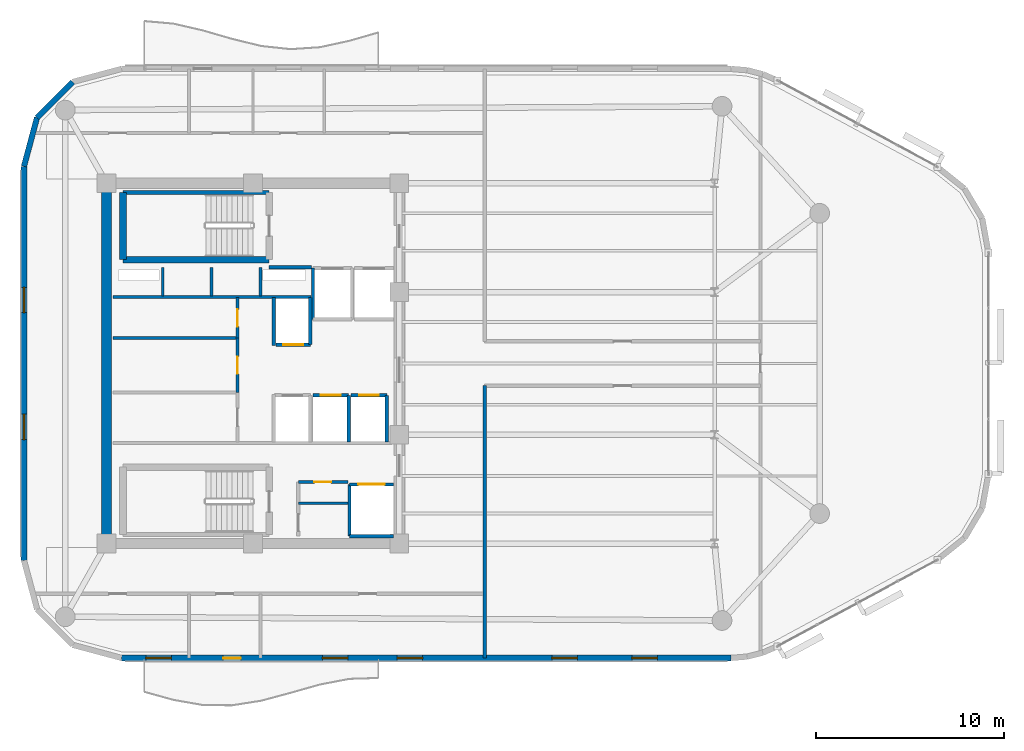
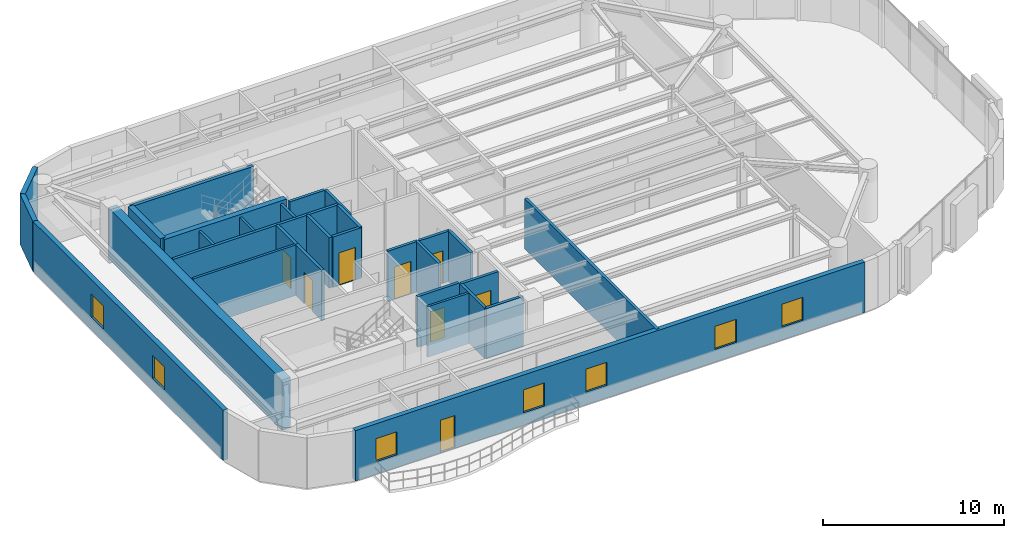
# One storey, part 9 of 13: 30 walls, 8 doors, 7 windows, 15 openings.
"""IFC4 building model written with IfcOpenShell, lengths in metres."""

from ifc_helpers import new_model, si_unit, direction, frame, frame_2d, origin, place, context, subcontext, project, spatial, rectangle, extrude, material, layer, layer_set, type_object, element, fill, save


model = new_model("IFC4")

# Units and contexts
model_context = context("Model", 3, precision=1e-05, world=origin(), true_north=direction((0.0, 1.0)))
body_context = subcontext(model_context, "Body", "Model", "MODEL_VIEW")
ifc_project = project(units=[si_unit("LENGTHUNIT", "METRE"), si_unit("AREAUNIT", "SQUARE_METRE"), si_unit("VOLUMEUNIT", "CUBIC_METRE"), si_unit("PLANEANGLEUNIT", "RADIAN"), si_unit("MASSUNIT", "GRAM", prefix="KILO")], contexts=[model_context])

# Site, building, storey
site_placement = place(None, origin())
site = spatial("IfcSite", under=ifc_project, at=site_placement, CompositionType="ELEMENT")
building_placement = place(site_placement, origin())
building = spatial("IfcBuilding", under=site, at=building_placement, Name="An Khanh Terracotta Commons", CompositionType="ELEMENT")
storey_placement = place(building_placement, frame((0.0, 0.0, 237.300048828125)))
storey = spatial("IfcBuildingStorey", under=building, at=storey_placement, Name="L62", CompositionType="ELEMENT", Elevation=237.300048828125)

# Walls
ifc_material_1 = material(Name="Concrete C50/60", Category="concrete")
ifc_layer_1 = layer(ifc_material_1, 0.550048828125, Name="Concrete C50/60")
ifc_layer_set_1 = layer_set([ifc_layer_1], Name="Concrete C50/60")
wall_type_1 = type_object("IfcWallType", Name="WALL-CORE-550", PredefinedType="SHEAR", material=ifc_layer_set_1)
wall_1_placement = place(storey_placement, frame((21.60009765625, 14.39990234375, 0.0), z_axis=(0.0, 0.0, 1.0), x_axis=(0.0, 1.0, 0.0)))
element("IfcWall", 1, at=wall_1_placement, inside=storey, type_object=wall_type_1, Name="L62 Core Wall CWALL-L62-W", PredefinedType="SHEAR", context=body_context, shape_type="SweptSolid", body=[
    extrude(rectangle(XDim=19.2001953125, YDim=0.550048828125, at=frame_2d((9.60009765625, 0.0))), origin(), (0.0, 0.0, 1.0), 3.39990234375),
])
ifc_material_2 = material(Name="Fire-Rated Gypsum Board on Steel Stud", Category="steel")
ifc_layer_2 = layer(ifc_material_2, 0.179931640625, Name="Fire-Rated Gypsum Board on Steel Stud")
ifc_layer_set_2 = layer_set([ifc_layer_2], Name="Fire-Rated Gypsum Board on Steel Stud")
wall_type_2 = type_object("IfcWallType", Name="WALL-CORR-180", PredefinedType="PARTITIONING", material=ifc_layer_set_2)
wall_2_placement = place(storey_placement, frame((30.27001953125, 29.1201171875, 0.0), z_axis=(0.0, 0.0, 1.0), x_axis=(1.0, 0.0, 0.0)))
element("IfcWall", 2, at=wall_2_placement, inside=storey, type_object=wall_type_2, Name="L62 Core Wall FFLW-L62-S", PredefinedType="PARTITIONING", context=body_context, shape_type="SweptSolid", body=[
    extrude(rectangle(XDim=2.239990234375, YDim=0.179931640625, at=frame_2d((1.1201171875, 0.0))), origin(), (0.0, 0.0, 1.0), 3.39990234375),
])
wall_3_placement = place(storey_placement, frame((21.949951171875, 27.5400390625, 0.0), z_axis=(0.0, 0.0, 1.0), x_axis=(1.0, 0.0, 0.0)))
element("IfcWall", 3, at=wall_3_placement, inside=storey, type_object=wall_type_2, Name="L62 Core Wall RSRW-L62-S", PredefinedType="PARTITIONING", context=body_context, shape_type="SweptSolid", body=[
    extrude(rectangle(XDim=10.56005859375, YDim=0.179931640625, at=frame_2d((5.280029296875, 0.0))), origin(), (0.0, 0.0, 1.0), 3.39990234375),
])

# Wall, opening, door
wall_4_placement = place(storey_placement, frame((31.820068359375, 17.679931640625, 0.0), z_axis=(0.0, 0.0, 1.0), x_axis=(1.0, 0.0, 0.0)))
wall_4 = element("IfcWall", 4, at=wall_4_placement, inside=storey, type_object=wall_type_2, Name="L62 Core Wall SSVCW-L62-N", PredefinedType="PARTITIONING", context=body_context, shape_type="SweptSolid", body=[
    extrude(rectangle(XDim=2.659912109375, YDim=0.179931640625, at=frame_2d((1.330078125, 0.0))), origin(), (0.0, 0.0, 1.0), 3.39990234375),
])
opening_1_placement = place(wall_4_placement, frame((0.85009765625, 0.0, 0.0)))
opening_1 = element("IfcOpeningElement", 5, at=opening_1_placement, cuts=wall_4, Name="Opening D-SV", PredefinedType="OPENING", context=body_context, shape_type="SweptSolid", body=[
    extrude(rectangle(XDim=0.89990234375, YDim=2.050048828125, at=frame_2d((0.449951171875, 1.02490234375))), frame((0.0, 0.099853515625, 0.0), z_axis=(0.0, -1.0, 0.0), x_axis=(1.0, 0.0, 0.0)), (0.0, 0.0, 1.0), 0.199951171875),
])
ifc_material_3 = material(Name="Fire-Rated Powder-Coated Steel Door", Category="steel")
door_type_1 = type_object("IfcDoorType", Name="DOOR-SERV-900", OperationType="NOTDEFINED", PredefinedType="DOOR", material=ifc_material_3)
door_1_placement = place(opening_1_placement, origin())
door_1 = element("IfcDoor", 6, at=door_1_placement, inside=storey, type_object=door_type_1, Name="L62 Core Cleaner Store Door", OperationType="SINGLE_SWING_RIGHT", OverallHeight=2.050048828125, OverallWidth=0.89990234375, PredefinedType="DOOR", context=body_context, shape_type="SweptSolid", body=[
    extrude(rectangle(XDim=0.89990234375, YDim=2.050048828125, at=frame_2d((0.449951171875, 1.02490234375))), frame((0.0, 0.02490234375, 0.0), z_axis=(0.0, -1.0, 0.0), x_axis=(1.0, 0.0, 0.0)), (0.0, 0.0, 1.0), 0.050048828125),
])
fill(opening_1, door_1)

# Wall
wall_5_placement = place(storey_placement, frame((32.60009765625, 29.080078125, 0.0), z_axis=(0.0, 0.0, 1.0), x_axis=(0.0, -1.0, 0.0)))
element("IfcWall", 7, at=wall_5_placement, inside=storey, type_object=wall_type_2, Name="L62 Core Wall LSH-L62-FFL-01-W", PredefinedType="PARTITIONING", context=body_context, shape_type="SweptSolid", body=[
    extrude(rectangle(XDim=2.72998046875, YDim=0.179931640625, at=frame_2d((1.364990234375, 0.0))), origin(), (0.0, 0.0, 1.0), 3.39990234375),
])

# Wall, opening, door
wall_6_placement = place(storey_placement, frame((34.550048828125, 17.550048828125, 0.0), z_axis=(0.0, 0.0, 1.0), x_axis=(1.0, 0.0, 0.0)))
wall_6 = element("IfcWall", 8, at=wall_6_placement, inside=storey, type_object=wall_type_2, Name="L62 Core Wall LSH-L62-SVL-01-N", PredefinedType="PARTITIONING", context=body_context, shape_type="SweptSolid", body=[
    extrude(rectangle(XDim=2.349853515625, YDim=0.179931640625, at=frame_2d((1.1748046875, 0.0))), origin(), (0.0, 0.0, 1.0), 3.39990234375),
])
opening_2_placement = place(wall_6_placement, frame((0.47509765625, 0.0, 0.0)))
opening_2 = element("IfcOpeningElement", 9, at=opening_2_placement, cuts=wall_6, Name="Opening LD-SVL-01-L62", PredefinedType="OPENING", context=body_context, shape_type="SweptSolid", body=[
    extrude(rectangle(XDim=1.39990234375, YDim=2.300048828125, at=frame_2d((0.699951171875, 1.14990234375))), frame((0.0, 0.099853515625, 0.0), z_axis=(0.0, -1.0, 0.0), x_axis=(1.0, 0.0, 0.0)), (0.0, 0.0, 1.0), 0.199951171875),
])
ifc_material_4 = material(Name="Heavy-Duty Stainless Steel Goods Landing Door", Category="steel")
door_type_2 = type_object("IfcDoorType", Name="DOOR-LD-SVL-1400", OperationType="NOTDEFINED", PredefinedType="DOOR", material=ifc_material_4)
door_2_placement = place(opening_2_placement, origin())
door_2 = element("IfcDoor", 10, at=door_2_placement, inside=storey, type_object=door_type_2, Name="L62 Lift SVL-01 Sliding Landing Door", OperationType="DOUBLE_DOOR_SLIDING", OverallHeight=2.300048828125, OverallWidth=1.39990234375, PredefinedType="DOOR", context=body_context, shape_type="SweptSolid", body=[
    extrude(rectangle(XDim=1.39990234375, YDim=2.300048828125, at=frame_2d((0.699951171875, 1.14990234375))), frame((0.0, 0.02490234375, 0.0), z_axis=(0.0, -1.0, 0.0), x_axis=(1.0, 0.0, 0.0)), (0.0, 0.0, 1.0), 0.050048828125),
])
fill(opening_2, door_2)

# Walls
wall_7_placement = place(storey_placement, frame((36.89990234375, 14.800048828125, 0.0), z_axis=(0.0, 0.0, 1.0), x_axis=(-1.0, 0.0, 0.0)))
element("IfcWall", 11, at=wall_7_placement, inside=storey, type_object=wall_type_2, Name="L62 Core Wall LSH-L62-SVL-01-S", PredefinedType="PARTITIONING", context=body_context, shape_type="SweptSolid", body=[
    extrude(rectangle(XDim=2.349853515625, YDim=0.179931640625, at=frame_2d((1.1748046875, 0.0))), origin(), (0.0, 0.0, 1.0), 3.39990234375),
])
wall_8_placement = place(storey_placement, frame((34.550048828125, 17.550048828125, 0.0), z_axis=(0.0, 0.0, 1.0), x_axis=(0.0, -1.0, 0.0)))
element("IfcWall", 12, at=wall_8_placement, inside=storey, type_object=wall_type_2, Name="L62 Core Wall LSH-L62-SVL-01-W", PredefinedType="PARTITIONING", context=body_context, shape_type="SweptSolid", body=[
    extrude(rectangle(XDim=2.75, YDim=0.179931640625, at=frame_2d((1.375, 0.0))), origin(), (0.0, 0.0, 1.0), 3.39990234375),
])

# Wall, opening, door
wall_9_placement = place(storey_placement, frame((32.4599609375, 25.0, 0.0), z_axis=(0.0, 0.0, 1.0), x_axis=(-1.0, 0.0, 0.0)))
wall_9 = element("IfcWall", 13, at=wall_9_placement, inside=storey, type_object=wall_type_2, Name="L62 Core Wall LSH-L62-PL-H1-S", PredefinedType="PARTITIONING", context=body_context, shape_type="SweptSolid", body=[
    extrude(rectangle(XDim=1.820068359375, YDim=0.179931640625, at=frame_2d((0.91015625, 0.0))), origin(), (0.0, 0.0, 1.0), 3.39990234375),
])
opening_3_placement = place(wall_9_placement, frame((0.385009765625, 0.0, 0.0)))
opening_3 = element("IfcOpeningElement", 14, at=opening_3_placement, cuts=wall_9, Name="Opening LD-PL-H1-L62", PredefinedType="OPENING", context=body_context, shape_type="SweptSolid", body=[
    extrude(rectangle(XDim=1.050048828125, YDim=2.199951171875, at=frame_2d((0.52490234375, 1.10009765625))), frame((0.0, 0.099853515625, 0.0), z_axis=(0.0, -1.0, 0.0), x_axis=(1.0, 0.0, 0.0)), (0.0, 0.0, 1.0), 0.199951171875),
])
ifc_material_5 = material(Name="Brushed Stainless Steel High-Rise Landing Door", Category="steel")
door_type_3 = type_object("IfcDoorType", Name="DOOR-LD-PAXH-1050", OperationType="NOTDEFINED", PredefinedType="DOOR", material=ifc_material_5)
door_3_placement = place(opening_3_placement, origin())
door_3 = element("IfcDoor", 15, at=door_3_placement, inside=storey, type_object=door_type_3, Name="L62 Lift PL-H1 Sliding Landing Door", OperationType="DOUBLE_DOOR_SLIDING", OverallHeight=2.199951171875, OverallWidth=1.050048828125, PredefinedType="DOOR", context=body_context, shape_type="SweptSolid", body=[
    extrude(rectangle(XDim=1.050048828125, YDim=2.199951171875, at=frame_2d((0.52490234375, 1.10009765625))), frame((0.0, 0.02490234375, 0.0), z_axis=(0.0, -1.0, 0.0), x_axis=(1.0, 0.0, 0.0)), (0.0, 0.0, 1.0), 0.050048828125),
])
fill(opening_3, door_3)

# Wall
wall_10_placement = place(storey_placement, frame((32.4599609375, 25.0, 0.0), z_axis=(0.0, 0.0, 1.0), x_axis=(0.0, 1.0, 0.0)))
element("IfcWall", 16, at=wall_10_placement, inside=storey, type_object=wall_type_2, Name="L62 Core Wall LSH-L62-PL-H1-E", PredefinedType="PARTITIONING", context=body_context, shape_type="SweptSolid", body=[
    extrude(rectangle(XDim=2.5, YDim=0.179931640625, at=frame_2d((1.25, 0.0))), origin(), (0.0, 0.0, 1.0), 3.39990234375),
])

# Wall, opening, door
wall_11_placement = place(storey_placement, frame((32.60009765625, 22.300048828125, 0.0), z_axis=(0.0, 0.0, 1.0), x_axis=(1.0, 0.0, 0.0)))
wall_11 = element("IfcWall", 17, at=wall_11_placement, inside=storey, type_object=wall_type_2, Name="L62 Core Wall LSH-L62-PL-H3-N", PredefinedType="PARTITIONING", context=body_context, shape_type="SweptSolid", body=[
    extrude(rectangle(XDim=1.89990234375, YDim=0.179931640625, at=frame_2d((0.949951171875, 0.0))), origin(), (0.0, 0.0, 1.0), 3.39990234375),
])
opening_4_placement = place(wall_11_placement, frame((0.425048828125, 0.0, 0.0)))
opening_4 = element("IfcOpeningElement", 18, at=opening_4_placement, cuts=wall_11, Name="Opening LD-PL-H3-L62", PredefinedType="OPENING", context=body_context, shape_type="SweptSolid", body=[
    extrude(rectangle(XDim=1.050048828125, YDim=2.199951171875, at=frame_2d((0.52490234375, 1.10009765625))), frame((0.0, 0.099853515625, 0.0), z_axis=(0.0, -1.0, 0.0), x_axis=(1.0, 0.0, 0.0)), (0.0, 0.0, 1.0), 0.199951171875),
])
door_4_placement = place(opening_4_placement, origin())
door_4 = element("IfcDoor", 19, at=door_4_placement, inside=storey, type_object=door_type_3, Name="L62 Lift PL-H3 Sliding Landing Door", OperationType="DOUBLE_DOOR_SLIDING", OverallHeight=2.199951171875, OverallWidth=1.050048828125, PredefinedType="DOOR", context=body_context, shape_type="SweptSolid", body=[
    extrude(rectangle(XDim=1.050048828125, YDim=2.199951171875, at=frame_2d((0.52490234375, 1.10009765625))), frame((0.0, 0.02490234375, 0.0), z_axis=(0.0, -1.0, 0.0), x_axis=(1.0, 0.0, 0.0)), (0.0, 0.0, 1.0), 0.050048828125),
])
fill(opening_4, door_4)

# Wall
wall_12_placement = place(storey_placement, frame((34.5, 19.800048828125, 0.0), z_axis=(0.0, 0.0, 1.0), x_axis=(0.0, 1.0, 0.0)))
element("IfcWall", 20, at=wall_12_placement, inside=storey, type_object=wall_type_2, Name="L62 Core Wall LSH-L62-PL-H3-E", PredefinedType="PARTITIONING", context=body_context, shape_type="SweptSolid", body=[
    extrude(rectangle(XDim=2.5, YDim=0.179931640625, at=frame_2d((1.25, 0.0))), origin(), (0.0, 0.0, 1.0), 3.39990234375),
])

# Wall, opening, door
wall_13_placement = place(storey_placement, frame((34.639892578125, 22.300048828125, 0.0), z_axis=(0.0, 0.0, 1.0), x_axis=(1.0, 0.0, 0.0)))
wall_13 = element("IfcWall", 21, at=wall_13_placement, inside=storey, type_object=wall_type_2, Name="L62 Core Wall LSH-L62-PL-H4-N", PredefinedType="PARTITIONING", context=body_context, shape_type="SweptSolid", body=[
    extrude(rectangle(XDim=1.900146484375, YDim=0.179931640625, at=frame_2d((0.9501953125, 0.0))), origin(), (0.0, 0.0, 1.0), 3.39990234375),
])
opening_5_placement = place(wall_13_placement, frame((0.425048828125, 0.0, 0.0)))
opening_5 = element("IfcOpeningElement", 22, at=opening_5_placement, cuts=wall_13, Name="Opening LD-PL-H4-L62", PredefinedType="OPENING", context=body_context, shape_type="SweptSolid", body=[
    extrude(rectangle(XDim=1.050048828125, YDim=2.199951171875, at=frame_2d((0.52490234375, 1.10009765625))), frame((0.0, 0.099853515625, 0.0), z_axis=(0.0, -1.0, 0.0), x_axis=(1.0, 0.0, 0.0)), (0.0, 0.0, 1.0), 0.199951171875),
])
door_5_placement = place(opening_5_placement, origin())
door_5 = element("IfcDoor", 23, at=door_5_placement, inside=storey, type_object=door_type_3, Name="L62 Lift PL-H4 Sliding Landing Door", OperationType="DOUBLE_DOOR_SLIDING", OverallHeight=2.199951171875, OverallWidth=1.050048828125, PredefinedType="DOOR", context=body_context, shape_type="SweptSolid", body=[
    extrude(rectangle(XDim=1.050048828125, YDim=2.199951171875, at=frame_2d((0.52490234375, 1.10009765625))), frame((0.0, 0.02490234375, 0.0), z_axis=(0.0, -1.0, 0.0), x_axis=(1.0, 0.0, 0.0)), (0.0, 0.0, 1.0), 0.050048828125),
])
fill(opening_5, door_5)

# Walls
wall_14_placement = place(storey_placement, frame((36.5400390625, 19.800048828125, 0.0), z_axis=(0.0, 0.0, 1.0), x_axis=(0.0, 1.0, 0.0)))
element("IfcWall", 24, at=wall_14_placement, inside=storey, type_object=wall_type_2, Name="L62 Core Wall LSH-L62-PL-H4-E", PredefinedType="PARTITIONING", context=body_context, shape_type="SweptSolid", body=[
    extrude(rectangle(XDim=2.5, YDim=0.179931640625, at=frame_2d((1.25, 0.0))), origin(), (0.0, 0.0, 1.0), 3.39990234375),
])
wall_15_placement = place(storey_placement, frame((30.52001953125, 24.949951171875, 0.0), z_axis=(0.0, 0.0, 1.0), x_axis=(0.0, 1.0, 0.0)))
element("IfcWall", 25, at=wall_15_placement, inside=storey, type_object=wall_type_2, Name="L62 Core Wall RECW-L62-BE1", PredefinedType="PARTITIONING", context=body_context, shape_type="SweptSolid", body=[
    extrude(rectangle(XDim=2.550048828125, YDim=0.179931640625, at=frame_2d((1.27490234375, 0.0))), origin(), (0.0, 0.0, 1.0), 3.39990234375),
])

# Wall, opening, door
wall_16_placement = place(storey_placement, frame((28.580078125, 25.35009765625, 0.0), z_axis=(0.0, 0.0, 1.0), x_axis=(0.0, 1.0, 0.0)))
wall_16 = element("IfcWall", 26, at=wall_16_placement, inside=storey, type_object=wall_type_2, Name="L62 Core Wall RECW-L62-E1", PredefinedType="PARTITIONING", context=body_context, shape_type="SweptSolid", body=[
    extrude(rectangle(XDim=2.14990234375, YDim=0.179931640625, at=frame_2d((1.074951171875, 0.0))), origin(), (0.0, 0.0, 1.0), 3.39990234375),
])
opening_6_placement = place(wall_16_placement, frame((0.614990234375, 0.0, 0.0)))
opening_6 = element("IfcOpeningElement", 27, at=opening_6_placement, cuts=wall_16, Name="Opening D-RM", PredefinedType="OPENING", context=body_context, shape_type="SweptSolid", body=[
    extrude(rectangle(XDim=0.919921875, YDim=2.10009765625, at=frame_2d((0.4599609375, 1.050048828125))), frame((0.0, 0.099853515625, 0.0), z_axis=(0.0, -1.0, 0.0), x_axis=(1.0, 0.0, 0.0)), (0.0, 0.0, 1.0), 0.199951171875),
])
ifc_material_6 = material(Name="Engineered Hardwood Timber Leaf", Category="wood")
door_type_4 = type_object("IfcDoorType", Name="DOOR-INT-920", OperationType="NOTDEFINED", PredefinedType="DOOR", material=ifc_material_6)
door_6_placement = place(opening_6_placement, origin())
door_6 = element("IfcDoor", 28, at=door_6_placement, inside=storey, type_object=door_type_4, Name="L62 Quiet Focus Pod Door", OperationType="SINGLE_SWING_RIGHT", OverallHeight=2.10009765625, OverallWidth=0.919921875, PredefinedType="DOOR", context=body_context, shape_type="SweptSolid", body=[
    extrude(rectangle(XDim=0.919921875, YDim=2.10009765625, at=frame_2d((0.4599609375, 1.050048828125))), frame((0.0, 0.02490234375, 0.0), z_axis=(0.0, -1.0, 0.0), x_axis=(1.0, 0.0, 0.0)), (0.0, 0.0, 1.0), 0.050048828125),
])
fill(opening_6, door_6)

wall_17_placement = place(storey_placement, frame((28.580078125, 22.449951171875, 0.0), z_axis=(0.0, 0.0, 1.0), x_axis=(0.0, 1.0, 0.0)))
wall_17 = element("IfcWall", 29, at=wall_17_placement, inside=storey, type_object=wall_type_2, Name="L62 Core Wall RECW-L62-E2", PredefinedType="PARTITIONING", context=body_context, shape_type="SweptSolid", body=[
    extrude(rectangle(XDim=2.900146484375, YDim=0.179931640625, at=frame_2d((1.4501953125, 0.0))), origin(), (0.0, 0.0, 1.0), 3.39990234375),
])
opening_7_placement = place(wall_17_placement, frame((0.989990234375, 0.0, 0.0)))
opening_7 = element("IfcOpeningElement", 30, at=opening_7_placement, cuts=wall_17, Name="Opening D-RM", PredefinedType="OPENING", context=body_context, shape_type="SweptSolid", body=[
    extrude(rectangle(XDim=0.919921875, YDim=2.10009765625, at=frame_2d((0.4599609375, 1.050048828125))), frame((0.0, 0.099853515625, 0.0), z_axis=(0.0, -1.0, 0.0), x_axis=(1.0, 0.0, 0.0)), (0.0, 0.0, 1.0), 0.199951171875),
])
door_7_placement = place(opening_7_placement, origin())
door_7 = element("IfcDoor", 31, at=door_7_placement, inside=storey, type_object=door_type_4, Name="L62 Floor Pantry and Tea Room Door", OperationType="SINGLE_SWING_LEFT", OverallHeight=2.10009765625, OverallWidth=0.919921875, PredefinedType="DOOR", context=body_context, shape_type="SweptSolid", body=[
    extrude(rectangle(XDim=0.919921875, YDim=2.10009765625, at=frame_2d((0.4599609375, 1.050048828125))), frame((0.0, 0.02490234375, 0.0), z_axis=(0.0, -1.0, 0.0), x_axis=(1.0, 0.0, 0.0)), (0.0, 0.0, 1.0), 0.050048828125),
])
fill(opening_7, door_7)

# Wall
wall_18_placement = place(storey_placement, frame((41.75, 8.300048828125, 0.0), z_axis=(0.0, 0.0, 1.0), x_axis=(0.0, 1.0, 0.0)))
element("IfcWall", 32, at=wall_18_placement, inside=storey, type_object=wall_type_2, Name="L62 Interior Partition IW-L62-E010", PredefinedType="PARTITIONING", context=body_context, shape_type="SweptSolid", body=[
    extrude(rectangle(XDim=14.52001953125, YDim=0.179931640625, at=frame_2d((7.260009765625, 0.0))), origin(), (0.0, 0.0, 1.0), 3.39990234375),
])

# Wall, openings, door, windows
ifc_material_7 = material(Name="Precast concrete C40/50", Category="concrete")
ifc_layer_3 = layer(ifc_material_7, 0.300048828125, Name="Precast concrete C40/50")
ifc_layer_set_3 = layer_set([ifc_layer_3], Name="Precast concrete C40/50")
wall_type_3 = type_object("IfcWallType", Name="WALL-EXT-300", PredefinedType="SOLIDWALL", material=ifc_layer_set_3)
wall_19_placement = place(storey_placement, frame((22.39990234375, 8.300048828125, 0.0), z_axis=(0.0, 0.0, 1.0), x_axis=(1.0, 0.0, 0.0)))
wall_19 = element("IfcWall", 33, at=wall_19_placement, inside=storey, type_object=wall_type_3, Name="L62 Insulated Terracotta Exterior Wall 4", PredefinedType="SOLIDWALL", context=body_context, shape_type="SweptSolid", body=[
    extrude(rectangle(XDim=32.485107421875, YDim=0.300048828125, at=frame_2d((16.24267578125, 0.0))), origin(), (0.0, 0.0, 1.0), 3.39990234375),
])
opening_8_placement = place(wall_19_placement, frame((5.4130859375, 0.0, 0.0)))
opening_8 = element("IfcOpeningElement", 34, at=opening_8_placement, cuts=wall_19, Name="Opening D-BAL", PredefinedType="OPENING", context=body_context, shape_type="SweptSolid", body=[
    extrude(rectangle(XDim=0.949951171875, YDim=2.199951171875, at=frame_2d((0.47509765625, 1.10009765625))), frame((0.0, 0.159912109375, 0.0), z_axis=(0.0, -1.0, 0.0), x_axis=(1.0, 0.0, 0.0)), (0.0, 0.0, 1.0), 0.320068359375),
])
opening_9_placement = place(wall_19_placement, frame((1.300048828125, 0.0, 0.85009765625)))
opening_9 = element("IfcOpeningElement", 35, at=opening_9_placement, cuts=wall_19, Name="Opening W-04", PredefinedType="OPENING", context=body_context, shape_type="SweptSolid", body=[
    extrude(rectangle(XDim=1.35009765625, YDim=1.550048828125, at=frame_2d((0.675048828125, 0.77490234375))), frame((0.0, 0.159912109375, 0.0), z_axis=(0.0, -1.0, 0.0), x_axis=(1.0, 0.0, 0.0)), (0.0, 0.0, 1.0), 0.320068359375),
])
opening_10_placement = place(wall_19_placement, frame((10.7080078125, 0.0, 0.85009765625)))
opening_10 = element("IfcOpeningElement", 36, at=opening_10_placement, cuts=wall_19, Name="Opening W-04", PredefinedType="OPENING", context=body_context, shape_type="SweptSolid", body=[
    extrude(rectangle(XDim=1.35009765625, YDim=1.550048828125, at=frame_2d((0.675048828125, 0.77490234375))), frame((0.0, 0.159912109375, 0.0), z_axis=(0.0, -1.0, 0.0), x_axis=(1.0, 0.0, 0.0)), (0.0, 0.0, 1.0), 0.320068359375),
])
opening_11_placement = place(wall_19_placement, frame((14.69189453125, 0.0, 0.85009765625)))
opening_11 = element("IfcOpeningElement", 37, at=opening_11_placement, cuts=wall_19, Name="Opening W-04", PredefinedType="OPENING", context=body_context, shape_type="SweptSolid", body=[
    extrude(rectangle(XDim=1.35009765625, YDim=1.550048828125, at=frame_2d((0.675048828125, 0.77490234375))), frame((0.0, 0.159912109375, 0.0), z_axis=(0.0, -1.0, 0.0), x_axis=(1.0, 0.0, 0.0)), (0.0, 0.0, 1.0), 0.320068359375),
])
opening_12_placement = place(wall_19_placement, frame((22.93701171875, 0.0, 0.85009765625)))
opening_12 = element("IfcOpeningElement", 38, at=opening_12_placement, cuts=wall_19, Name="Opening W-04", PredefinedType="OPENING", context=body_context, shape_type="SweptSolid", body=[
    extrude(rectangle(XDim=1.35009765625, YDim=1.550048828125, at=frame_2d((0.675048828125, 0.77490234375))), frame((0.0, 0.159912109375, 0.0), z_axis=(0.0, -1.0, 0.0), x_axis=(1.0, 0.0, 0.0)), (0.0, 0.0, 1.0), 0.320068359375),
])
opening_13_placement = place(wall_19_placement, frame((27.197998046875, 0.0, 0.85009765625)))
opening_13 = element("IfcOpeningElement", 39, at=opening_13_placement, cuts=wall_19, Name="Opening W-04", PredefinedType="OPENING", context=body_context, shape_type="SweptSolid", body=[
    extrude(rectangle(XDim=1.35009765625, YDim=1.550048828125, at=frame_2d((0.675048828125, 0.77490234375))), frame((0.0, 0.159912109375, 0.0), z_axis=(0.0, -1.0, 0.0), x_axis=(1.0, 0.0, 0.0)), (0.0, 0.0, 1.0), 0.320068359375),
])
ifc_material_8 = material(Name="Thermally Broken Aluminium and Low-E Glass", Category="aluminium")
door_type_5 = type_object("IfcDoorType", Name="DOOR-BALC-950", OperationType="NOTDEFINED", PredefinedType="DOOR", material=ifc_material_8)
door_8_placement = place(opening_8_placement, origin())
door_8 = element("IfcDoor", 40, at=door_8_placement, inside=storey, type_object=door_type_5, Name="L62 S Wave Balcony Glazed Door", OperationType="SINGLE_SWING_LEFT", OverallHeight=2.199951171875, OverallWidth=0.949951171875, PredefinedType="DOOR", context=body_context, shape_type="SweptSolid", body=[
    extrude(rectangle(XDim=0.949951171875, YDim=2.199951171875, at=frame_2d((0.47509765625, 1.10009765625))), frame((0.0, 0.02490234375, 0.0), z_axis=(0.0, -1.0, 0.0), x_axis=(1.0, 0.0, 0.0)), (0.0, 0.0, 1.0), 0.050048828125),
])
fill(opening_8, door_8)
window_type = type_object("IfcWindowType", Name="WIN-Z4-1350x1550", PartitioningType="SINGLE_PANEL", PredefinedType="WINDOW", material=ifc_material_8)
window_1_placement = place(opening_9_placement, origin())
window_1 = element("IfcWindow", 41, at=window_1_placement, inside=storey, type_object=window_type, Name="L62 Operable Casement Window 4.1", OverallHeight=1.550048828125, OverallWidth=1.35009765625, PartitioningType="SINGLE_PANEL", PredefinedType="WINDOW", context=body_context, shape_type="SweptSolid", body=[
    extrude(rectangle(XDim=1.35009765625, YDim=1.550048828125, at=frame_2d((0.675048828125, 0.77490234375))), frame((0.0, 0.030029296875, 0.0), z_axis=(0.0, -1.0, 0.0), x_axis=(1.0, 0.0, 0.0)), (0.0, 0.0, 1.0), 0.06005859375),
])
fill(opening_9, window_1)
window_2_placement = place(opening_10_placement, origin())
window_2 = element("IfcWindow", 42, at=window_2_placement, inside=storey, type_object=window_type, Name="L62 Operable Casement Window 4.2", OverallHeight=1.550048828125, OverallWidth=1.35009765625, PartitioningType="SINGLE_PANEL", PredefinedType="WINDOW", context=body_context, shape_type="SweptSolid", body=[
    extrude(rectangle(XDim=1.35009765625, YDim=1.550048828125, at=frame_2d((0.675048828125, 0.77490234375))), frame((0.0, 0.030029296875, 0.0), z_axis=(0.0, -1.0, 0.0), x_axis=(1.0, 0.0, 0.0)), (0.0, 0.0, 1.0), 0.06005859375),
])
fill(opening_10, window_2)
window_3_placement = place(opening_11_placement, origin())
window_3 = element("IfcWindow", 43, at=window_3_placement, inside=storey, type_object=window_type, Name="L62 Operable Casement Window 4.3", OverallHeight=1.550048828125, OverallWidth=1.35009765625, PartitioningType="SINGLE_PANEL", PredefinedType="WINDOW", context=body_context, shape_type="SweptSolid", body=[
    extrude(rectangle(XDim=1.35009765625, YDim=1.550048828125, at=frame_2d((0.675048828125, 0.77490234375))), frame((0.0, 0.030029296875, 0.0), z_axis=(0.0, -1.0, 0.0), x_axis=(1.0, 0.0, 0.0)), (0.0, 0.0, 1.0), 0.06005859375),
])
fill(opening_11, window_3)
window_4_placement = place(opening_12_placement, origin())
window_4 = element("IfcWindow", 44, at=window_4_placement, inside=storey, type_object=window_type, Name="L62 Operable Casement Window 4.4", OverallHeight=1.550048828125, OverallWidth=1.35009765625, PartitioningType="SINGLE_PANEL", PredefinedType="WINDOW", context=body_context, shape_type="SweptSolid", body=[
    extrude(rectangle(XDim=1.35009765625, YDim=1.550048828125, at=frame_2d((0.675048828125, 0.77490234375))), frame((0.0, 0.030029296875, 0.0), z_axis=(0.0, -1.0, 0.0), x_axis=(1.0, 0.0, 0.0)), (0.0, 0.0, 1.0), 0.06005859375),
])
fill(opening_12, window_4)
window_5_placement = place(opening_13_placement, origin())
window_5 = element("IfcWindow", 45, at=window_5_placement, inside=storey, type_object=window_type, Name="L62 Operable Casement Window 4.5", OverallHeight=1.550048828125, OverallWidth=1.35009765625, PartitioningType="SINGLE_PANEL", PredefinedType="WINDOW", context=body_context, shape_type="SweptSolid", body=[
    extrude(rectangle(XDim=1.35009765625, YDim=1.550048828125, at=frame_2d((0.675048828125, 0.77490234375))), frame((0.0, 0.030029296875, 0.0), z_axis=(0.0, -1.0, 0.0), x_axis=(1.0, 0.0, 0.0)), (0.0, 0.0, 1.0), 0.06005859375),
])
fill(opening_13, window_5)

# Walls
wall_20_placement = place(storey_placement, frame((19.800048828125, 39.0029296875, 0.0), z_axis=(0.0, 0.0, 1.0), x_axis=(-0.707152139074, -0.70706142039, 0.0)))
element("IfcWall", 46, at=wall_20_placement, inside=storey, type_object=wall_type_3, Name="L62 Insulated Terracotta Exterior Wall 22", PredefinedType="SOLIDWALL", context=body_context, shape_type="SweptSolid", body=[
    extrude(rectangle(XDim=2.691162109375, YDim=0.300048828125, at=frame_2d((1.345703125, 0.0))), origin(), (0.0, 0.0, 1.0), 3.39990234375),
])
wall_21_placement = place(storey_placement, frame((17.89697265625, 37.10009765625, 0.0), z_axis=(0.0, 0.0, 1.0), x_axis=(-0.258932525951, -0.965895412042, 0.0)))
element("IfcWall", 47, at=wall_21_placement, inside=storey, type_object=wall_type_3, Name="L62 Insulated Terracotta Exterior Wall 23", PredefinedType="SOLIDWALL", context=body_context, shape_type="SweptSolid", body=[
    extrude(rectangle(XDim=2.69189453125, YDim=0.300048828125, at=frame_2d((1.345947265625, 0.0))), origin(), (0.0, 0.0, 1.0), 3.39990234375),
])

# Wall, openings, windows
wall_22_placement = place(storey_placement, frame((17.199951171875, 34.5, 0.0), z_axis=(0.0, 0.0, 1.0), x_axis=(0.0, -1.0, 0.0)))
wall_22 = element("IfcWall", 48, at=wall_22_placement, inside=storey, type_object=wall_type_3, Name="L62 Insulated Terracotta Exterior Wall 24", PredefinedType="SOLIDWALL", context=body_context, shape_type="SweptSolid", body=[
    extrude(rectangle(XDim=21.0, YDim=0.300048828125, at=frame_2d((10.5, 0.0))), origin(), (0.0, 0.0, 1.0), 3.39990234375),
])
opening_14_placement = place(wall_22_placement, frame((6.44189453125, 0.0, 0.85009765625)))
opening_14 = element("IfcOpeningElement", 49, at=opening_14_placement, cuts=wall_22, Name="Opening W-04", PredefinedType="OPENING", context=body_context, shape_type="SweptSolid", body=[
    extrude(rectangle(XDim=1.35009765625, YDim=1.550048828125, at=frame_2d((0.675048828125, 0.77490234375))), frame((0.0, 0.159912109375, 0.0), z_axis=(0.0, -1.0, 0.0), x_axis=(1.0, 0.0, 0.0)), (0.0, 0.0, 1.0), 0.320068359375),
])
opening_15_placement = place(wall_22_placement, frame((13.2080078125, 0.0, 0.85009765625)))
opening_15 = element("IfcOpeningElement", 50, at=opening_15_placement, cuts=wall_22, Name="Opening W-04", PredefinedType="OPENING", context=body_context, shape_type="SweptSolid", body=[
    extrude(rectangle(XDim=1.35009765625, YDim=1.550048828125, at=frame_2d((0.675048828125, 0.77490234375))), frame((0.0, 0.159912109375, 0.0), z_axis=(0.0, -1.0, 0.0), x_axis=(1.0, 0.0, 0.0)), (0.0, 0.0, 1.0), 0.320068359375),
])
window_6_placement = place(opening_14_placement, origin())
window_6 = element("IfcWindow", 51, at=window_6_placement, inside=storey, type_object=window_type, Name="L62 Operable Casement Window 24.1", OverallHeight=1.550048828125, OverallWidth=1.35009765625, PartitioningType="SINGLE_PANEL", PredefinedType="WINDOW", context=body_context, shape_type="SweptSolid", body=[
    extrude(rectangle(XDim=1.35009765625, YDim=1.550048828125, at=frame_2d((0.675048828125, 0.77490234375))), frame((0.0, 0.030029296875, 0.0), z_axis=(0.0, -1.0, 0.0), x_axis=(1.0, 0.0, 0.0)), (0.0, 0.0, 1.0), 0.06005859375),
])
fill(opening_14, window_6)
window_7_placement = place(opening_15_placement, origin())
window_7 = element("IfcWindow", 52, at=window_7_placement, inside=storey, type_object=window_type, Name="L62 Operable Casement Window 24.2", OverallHeight=1.550048828125, OverallWidth=1.35009765625, PartitioningType="SINGLE_PANEL", PredefinedType="WINDOW", context=body_context, shape_type="SweptSolid", body=[
    extrude(rectangle(XDim=1.35009765625, YDim=1.550048828125, at=frame_2d((0.675048828125, 0.77490234375))), frame((0.0, 0.030029296875, 0.0), z_axis=(0.0, -1.0, 0.0), x_axis=(1.0, 0.0, 0.0)), (0.0, 0.0, 1.0), 0.06005859375),
])
fill(opening_15, window_7)

# Walls
ifc_material_9 = material(Name="Acoustic Gypsum Board Partition")
ifc_layer_4 = layer(ifc_material_9, 0.14990234375, Name="Acoustic Gypsum Board Partition")
ifc_layer_set_4 = layer_set([ifc_layer_4], Name="Acoustic Gypsum Board Partition")
wall_type_4 = type_object("IfcWallType", Name="WALL-PART-150", PredefinedType="PARTITIONING", material=ifc_layer_set_4)
for number, where, z_axis, x_axis, name in (
    (53, (24.60009765625, 27.60009765625, 0.0), (0.0, 0.0, 1.0), (0.0, 1.0, 0.0), "L62 Core Wall RSRW-L62-D1"),
    (54, (27.199951171875, 27.60009765625, 0.0), (0.0, 0.0, 1.0), (0.0, 1.0, 0.0), "L62 Core Wall RSRW-L62-D2"),
    (55, (29.800048828125, 27.60009765625, 0.0), (0.0, 0.0, 1.0), (0.0, 1.0, 0.0), "L62 Core Wall RSRW-L62-D3"),
):
    element("IfcWall", number, at=place(storey_placement, frame(where, z_axis=z_axis, x_axis=x_axis)), inside=storey, type_object=wall_type_4, Name=name, PredefinedType="PARTITIONING", context=body_context, shape_type="SweptSolid", body=[
        extrude(rectangle(XDim=1.52001953125, YDim=0.14990234375, at=frame_2d((0.760009765625, 0.0))), origin(), (0.0, 0.0, 1.0), 3.39990234375),
    ])
wall_23_placement = place(storey_placement, frame((31.820068359375, 16.550048828125, 0.0), z_axis=(0.0, 0.0, 1.0), x_axis=(1.0, 0.0, 0.0)))
element("IfcWall", 56, at=wall_23_placement, inside=storey, type_object=wall_type_4, Name="L62 Core Wall SSVCW-L62-M", PredefinedType="PARTITIONING", context=body_context, shape_type="SweptSolid", body=[
    extrude(rectangle(XDim=2.659912109375, YDim=0.14990234375, at=frame_2d((1.330078125, 0.0))), origin(), (0.0, 0.0, 1.0), 3.39990234375),
])
wall_24_placement = place(storey_placement, frame((21.949951171875, 25.35009765625, 0.0), z_axis=(0.0, 0.0, 1.0), x_axis=(1.0, 0.0, 0.0)))
element("IfcWall", 57, at=wall_24_placement, inside=storey, type_object=wall_type_4, Name="L62 Core Wall RECW-L62-H1", PredefinedType="PARTITIONING", context=body_context, shape_type="SweptSolid", body=[
    extrude(rectangle(XDim=6.630126953125, YDim=0.14990234375, at=frame_2d((3.31494140625, 0.0))), origin(), (0.0, 0.0, 1.0), 3.39990234375),
])
ifc_material_10 = material(Name="Acoustic Double-Stud Gypsum and Mineral Wool")
ifc_layer_5 = layer(ifc_material_10, 0.219970703125, Name="Acoustic Double-Stud Gypsum and Mineral Wool")
ifc_layer_set_5 = layer_set([ifc_layer_5], Name="Acoustic Double-Stud Gypsum and Mineral Wool")
wall_type_5 = type_object("IfcWallType", Name="WALL-PARTY-220", PredefinedType="PARTITIONING", material=ifc_layer_set_5)
wall_25_placement = place(storey_placement, frame((22.47998046875, 33.110107421875, 0.0), z_axis=(0.0, 0.0, 1.0), x_axis=(1.0, 0.0, 0.0)))
element("IfcWall", 58, at=wall_25_placement, inside=storey, type_object=wall_type_5, Name="L62 Core Wall STW-L62-N-N", PredefinedType="PARTITIONING", context=body_context, shape_type="SweptSolid", body=[
    extrude(rectangle(XDim=7.7900390625, YDim=0.219970703125, at=frame_2d((3.89501953125, 0.0))), origin(), (0.0, 0.0, 1.0), 3.39990234375),
])
ifc_layer_6 = layer(ifc_material_1, 0.35009765625, Name="Concrete C50/60")
ifc_layer_set_6 = layer_set([ifc_layer_6], Name="Concrete C50/60")
wall_type_6 = type_object("IfcWallType", Name="WALL-SHAFT-350", PredefinedType="SOLIDWALL", material=ifc_layer_set_6)
wall_26_placement = place(storey_placement, frame((22.47998046875, 29.530029296875, 0.0), z_axis=(0.0, 0.0, 1.0), x_axis=(1.0, 0.0, 0.0)))
element("IfcWall", 59, at=wall_26_placement, inside=storey, type_object=wall_type_6, Name="L62 Core Wall STW-L62-N-S", PredefinedType="SOLIDWALL", context=body_context, shape_type="SweptSolid", body=[
    extrude(rectangle(XDim=7.7900390625, YDim=0.35009765625, at=frame_2d((3.89501953125, 0.0))), origin(), (0.0, 0.0, 1.0), 3.39990234375),
])
wall_27_placement = place(storey_placement, frame((22.47998046875, 29.530029296875, 0.0), z_axis=(0.0, 0.0, 1.0), x_axis=(0.0, 1.0, 0.0)))
element("IfcWall", 60, at=wall_27_placement, inside=storey, type_object=wall_type_6, Name="L62 Core Wall STW-L62-N-W", PredefinedType="SOLIDWALL", context=body_context, shape_type="SweptSolid", body=[
    extrude(rectangle(XDim=3.580078125, YDim=0.35009765625, at=frame_2d((1.7900390625, 0.0))), origin(), (0.0, 0.0, 1.0), 3.39990234375),
])

save(model, "model.ifc")
